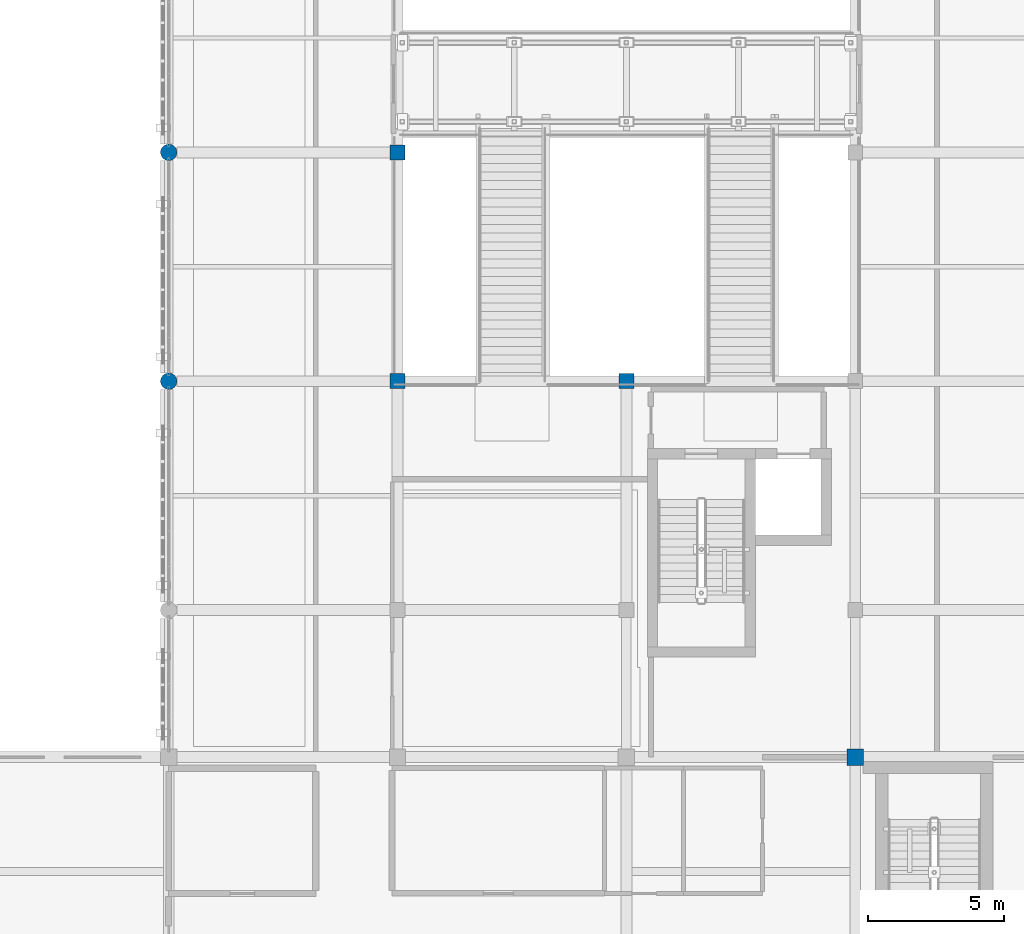
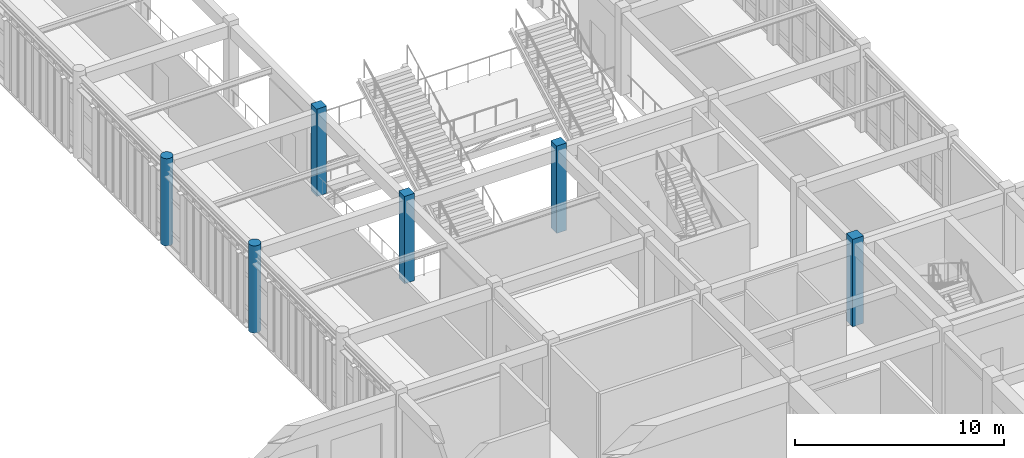
# One storey, part 6 of 93: 6 columns.
"""IFC4 building model written with IfcOpenShell, lengths in metres."""

import ifcopenshell
import ifcopenshell.guid

model = None  # the IFC model being written
_history = None  # IfcOwnerHistory: only IFC2X3 demands one
_inside = {}  # id of a spatial element -> (the spatial element, [elements in it])
_under = {}  # id of a project, library or spatial element -> (it, [spatial elements below it])
_declared = {}  # id of a project -> (the project, [libraries it declares])
_typed = {}  # id of a type object -> (the type object, [elements of that type])
_made_of = {}  # id of a material, layer set ... -> (it, [elements and type objects made of it])


def new_model(schema):
    """Start an empty IFC model of exactly this schema.

    Asked for "IFC4X3", IfcOpenShell would pick the latest addendum, in which some entities
    have other attributes; the version numbers below select the first issue.
    IFC2X3 requires an IfcOwnerHistory on every rooted entity: one is made here for all.
    """
    global model, _history
    if schema == "IFC4X3":
        model = ifcopenshell.file(schema_version=(4, 3, 0, 0))
    else:
        model = ifcopenshell.file(schema=schema)
    _inside.clear()
    _under.clear()
    _declared.clear()
    _typed.clear()
    _made_of.clear()
    _history = None
    if model.schema == "IFC2X3":
        org = make("IfcOrganization", Name="unknown")
        user = make(
            "IfcPersonAndOrganization",
            ThePerson=make("IfcPerson", FamilyName="unknown"),
            TheOrganization=org,
        )
        app = make(
            "IfcApplication",
            ApplicationDeveloper=org,
            Version="unknown",
            ApplicationFullName="unknown",
            ApplicationIdentifier="unknown",
        )
        _history = make(
            "IfcOwnerHistory",
            OwningUser=user,
            OwningApplication=app,
            ChangeAction="ADDED",
            CreationDate=0,
        )
    return model


def make(cls, **values):
    """One entity of the class cls with the attributes given. An attribute that is None is left unset."""
    return model.create_entity(
        cls, **{name: value for name, value in values.items() if value is not None}
    )


def rooted(cls, **values):
    """An entity with a GlobalId (a new one), such as an element, a storey or a relation."""
    return make(cls, GlobalId=ifcopenshell.guid.new(), OwnerHistory=_history, **values)


def si_unit(unit_type, name, prefix=None):
    """IfcSIUnit, for example si_unit("LENGTHUNIT", "METRE", prefix="MILLI")."""
    return make("IfcSIUnit", UnitType=unit_type, Prefix=prefix, Name=name)


def assignment(units):
    """IfcUnitAssignment: the units of a project."""
    return None if units is None else make("IfcUnitAssignment", Units=units)


def point(xyz):
    """IfcCartesianPoint."""
    return None if xyz is None else make("IfcCartesianPoint", Coordinates=xyz)


def direction(xyz):
    """IfcDirection."""
    return None if xyz is None else make("IfcDirection", DirectionRatios=xyz)


def frame(location, z_axis=None, x_axis=None):
    """IfcAxis2Placement3D, a coordinate frame: its origin and axes. An axis left out is left unset."""
    return make(
        "IfcAxis2Placement3D",
        Location=point(location),
        Axis=direction(z_axis),
        RefDirection=direction(x_axis),
    )


def frame_2d(location, x_axis=None):
    """IfcAxis2Placement2D, a coordinate frame in the plane: its origin and x axis."""
    return make(
        "IfcAxis2Placement2D", Location=point(location), RefDirection=direction(x_axis)
    )


def origin():
    """The frame at (0, 0, 0) with its axes left unset."""
    return frame((0.0, 0.0, 0.0))


def origin_2d():
    """The frame at (0, 0) in the plane with its x axis left unset."""
    return frame_2d((0.0, 0.0))


def place(relative_to, where):
    """IfcLocalPlacement: puts the frame where relative to a parent placement (None: the world)."""
    return make(
        "IfcLocalPlacement", PlacementRelTo=relative_to, RelativePlacement=where
    )


def context(
    kind, dimensions, precision=None, world=None, true_north=None, identifier=None
):
    """IfcGeometricRepresentationContext, for example the 3D "Model" context."""
    return make(
        "IfcGeometricRepresentationContext",
        ContextIdentifier=identifier,
        ContextType=kind,
        CoordinateSpaceDimension=dimensions,
        Precision=precision,
        WorldCoordinateSystem=world,
        TrueNorth=true_north,
    )


def subcontext(parent, identifier, kind, view, scale=None):
    """IfcGeometricRepresentationSubContext, for example "Body" below "Model"."""
    return make(
        "IfcGeometricRepresentationSubContext",
        ContextIdentifier=identifier,
        ContextType=kind,
        ParentContext=parent,
        TargetScale=scale,
        TargetView=view,
    )


def project(units=None, contexts=None):
    """IfcProject with its units and contexts."""
    return rooted(
        "IfcProject",
        Name="project",
        RepresentationContexts=contexts,
        UnitsInContext=assignment(units),
    )


def spatial(cls, under=None, at=None, **own):
    """A site, building, storey or space (cls), placed at a placement, below another one or the project."""
    s = rooted(cls, ObjectPlacement=at, **own)
    if under is not None:
        _under.setdefault(under.id(), (under, []))[1].append(s)
    return s


def profile(cls, at=None, kind="AREA", **sizes):
    """A parametric profile (cls). Its sizes go by their IFC names, for example OverallWidth=200.0."""
    return make(cls, ProfileType=kind, Position=at, **sizes)


def rectangle(**sizes):
    """IfcRectangleProfileDef."""
    return profile("IfcRectangleProfileDef", **sizes)


def circle(**sizes):
    """IfcCircleProfileDef."""
    return profile("IfcCircleProfileDef", **sizes)


def extrude(swept, where, along, depth):
    """IfcExtrudedAreaSolid: the profile swept, set in the frame where, extruded along a direction by depth."""
    return make(
        "IfcExtrudedAreaSolid",
        SweptArea=swept,
        Position=where,
        ExtrudedDirection=direction(along),
        Depth=depth,
    )


def shape(context_of_items, identifier, shape_type, items):
    """IfcShapeRepresentation: the items that make up one representation, for example the "Body"."""
    return make(
        "IfcShapeRepresentation",
        ContextOfItems=context_of_items,
        RepresentationIdentifier=identifier,
        RepresentationType=shape_type,
        Items=items,
    )


def material(Name=None, Category=None):
    """IfcMaterial."""
    return make("IfcMaterial", Name=Name, Category=Category)


def material_profile(
    of_material, cross_section, Name=None, Category=None, Priority=None
):
    """IfcMaterialProfile: a cross section and its material."""
    return make(
        "IfcMaterialProfile",
        Name=Name,
        Material=of_material,
        Profile=cross_section,
        Priority=Priority,
        Category=Category,
    )


def profile_set(profiles, Name=None, composite=None):
    """IfcMaterialProfileSet."""
    return make(
        "IfcMaterialProfileSet",
        Name=Name,
        MaterialProfiles=profiles,
        CompositeProfile=composite,
    )


def made_of(thing, what):
    """Note that an element or type object is made of a material, layer set ...; save() writes the relation."""
    if what is not None:
        _made_of.setdefault(what.id(), (what, []))[1].append(thing)
    return thing


def type_object(cls, material=None, **own):
    """A type object (cls), such as IfcWallType, which elements share."""
    return made_of(rooted(cls, **own), material)


def element(
    cls,
    number,
    at=None,
    inside=None,
    cuts=None,
    type_object=None,
    material=None,
    context=None,
    identifier="Body",
    shape_type=None,
    held_by="IfcProductDefinitionShape",
    body=None,
    shapes=None,
    **own,
):
    """One element of the class cls, such as IfcWall. Its Tag is "e" and its number.

    at: its placement. inside: the storey or other place that contains it. cuts: it is an
    opening in that element (IfcRelVoidsElement). A single representation is given by context,
    identifier, shape_type and body (its items); several are given by shapes. held_by: the class
    of the entity that holds the representations. save() writes the other relations.
    """
    e = rooted(cls, Tag="e%d" % number, ObjectPlacement=at, **own)
    if body is not None:
        shapes = [shape(context, identifier, shape_type, body)]
    if shapes is not None:
        e.Representation = make(held_by, Representations=shapes)
    if inside is not None:
        _inside.setdefault(inside.id(), (inside, []))[1].append(e)
    if cuts is not None:
        rooted(
            "IfcRelVoidsElement", RelatingBuildingElement=cuts, RelatedOpeningElement=e
        )
    if type_object is not None:
        _typed.setdefault(type_object.id(), (type_object, []))[1].append(e)
    return made_of(e, material)


def aggregate(whole, parts):
    """IfcRelAggregates: a whole, such as a stair, and the parts it consists of."""
    return rooted("IfcRelAggregates", RelatingObject=whole, RelatedObjects=parts)


def save(model, path):
    """Write the relations noted so far, then the file.

    IfcRelAggregates (storeys below a building ...), IfcRelContainedInSpatialStructure (elements
    in a storey), IfcRelDefinesByType, IfcRelAssociatesMaterial and IfcRelDeclares: one each for
    every whole, place, type object, material and project.
    """
    for whole, parts in _under.values():
        aggregate(whole, parts)
    for where, things in _inside.values():
        rooted(
            "IfcRelContainedInSpatialStructure",
            RelatedElements=things,
            RelatingStructure=where,
        )
    for kind, things in _typed.values():
        rooted("IfcRelDefinesByType", RelatedObjects=things, RelatingType=kind)
    for what, things in _made_of.values():
        rooted("IfcRelAssociatesMaterial", RelatedObjects=things, RelatingMaterial=what)
    for by, libraries in _declared.values():
        rooted("IfcRelDeclares", RelatingContext=by, RelatedDefinitions=libraries)
    model.write(path)


model = new_model("IFC4")

# Units and contexts
model_context = context("Model", 3, precision=1e-05, world=origin(), true_north=direction((0.0, 1.0)))
body_context = subcontext(model_context, "Body", "Model", "MODEL_VIEW")
ifc_project = project(units=[si_unit("LENGTHUNIT", "METRE"), si_unit("AREAUNIT", "SQUARE_METRE"), si_unit("VOLUMEUNIT", "CUBIC_METRE"), si_unit("PLANEANGLEUNIT", "RADIAN"), si_unit("MASSUNIT", "GRAM", prefix="KILO")], contexts=[model_context])

# Site, building, storey
site_placement = place(None, origin())
site = spatial("IfcSite", under=ifc_project, at=site_placement, CompositionType="ELEMENT")
building_placement = place(site_placement, origin())
building = spatial("IfcBuilding", under=site, at=building_placement, Name="Krzemoval Escarpment Law Courts", CompositionType="ELEMENT")
storey_placement = place(building_placement, frame((0.0, 0.0, 10.199951171875)))
storey = spatial("IfcBuildingStorey", under=building, at=storey_placement, Name="L02", CompositionType="ELEMENT", Elevation=10.199951171875)

# Columns
ifc_material_1 = material(Name="Concrete C40/50", Category="concrete")
ifc_material_profile_1 = material_profile(ifc_material_1, rectangle(XDim=0.550048828125, YDim=0.550048828125, at=origin_2d()), Name="RC 550x550")
ifc_profile_set_1 = profile_set([ifc_material_profile_1], Name="Concrete C40/50")
column_type_1 = type_object("IfcColumnType", Name="COL-RC-550", PredefinedType="COLUMN", material=ifc_profile_set_1)
for number, where, z_axis, x_axis, name in (
    (1, (16.800048828125, 49.199951171875, 0.0), (0.0, 0.0, 1.0), (1.0, 0.0, 0.0), "Column FC-L02-0832"),
    (2, (16.800048828125, 57.60009765625, 0.0), (0.0, 0.0, 1.0), (1.0, 0.0, 0.0), "Column FC-L02-0833"),
    (3, (25.199951171875, 49.199951171875, 0.0), (0.0, 0.0, 1.0), (1.0, 0.0, 0.0), "Column FC-L02-0847"),
):
    element("IfcColumn", number, at=place(storey_placement, frame(where, z_axis=z_axis, x_axis=x_axis)), inside=storey, type_object=column_type_1, Name=name, PredefinedType="COLUMN", context=body_context, shape_type="SweptSolid", body=[
        extrude(rectangle(XDim=0.550048828125, YDim=0.550048828125, at=origin_2d()), origin(), (0.0, 0.0, 1.0), 5.10009765625),
    ])
ifc_material_2 = material(Name="Concrete C40/50", Category="concrete")
ifc_material_profile_2 = material_profile(ifc_material_2, rectangle(XDim=0.60009765625, YDim=0.60009765625, at=origin_2d()), Name="RC 600x600")
ifc_profile_set_2 = profile_set([ifc_material_profile_2], Name="Concrete C40/50")
column_type_2 = type_object("IfcColumnType", Name="COL-RC-600", PredefinedType="COLUMN", material=ifc_profile_set_2)
column_placement = place(storey_placement, frame((33.60009765625, 35.39990234375, 0.0), z_axis=(0.0, 0.0, 1.0), x_axis=(1.0, 0.0, 0.0)))
element("IfcColumn", 4, at=column_placement, inside=storey, type_object=column_type_2, Name="Column FC-L02-0856", PredefinedType="COLUMN", context=body_context, shape_type="SweptSolid", body=[
    extrude(rectangle(XDim=0.60009765625, YDim=0.60009765625, at=origin_2d()), origin(), (0.0, 0.0, 1.0), 5.10009765625),
])
ifc_material_3 = material(Name="Concrete C40/50", Category="concrete")
ifc_material_profile_3 = material_profile(ifc_material_3, circle(Radius=0.300048828125, at=origin_2d()), Name="RC D600")
ifc_profile_set_3 = profile_set([ifc_material_profile_3], Name="Concrete C40/50")
column_type_3 = type_object("IfcColumnType", Name="COL-RCD-600", PredefinedType="COLUMN", material=ifc_profile_set_3)
for number, where, z_axis, x_axis, name in (
    (5, (8.39990234375, 49.199951171875, 0.0), (0.0, 0.0, 1.0), (1.0, 0.0, 0.0), "Column FC-L02-0819"),
    (6, (8.39990234375, 57.60009765625, 0.0), (0.0, 0.0, 1.0), (1.0, 0.0, 0.0), "Column FC-L02-0820"),
):
    element("IfcColumn", number, at=place(storey_placement, frame(where, z_axis=z_axis, x_axis=x_axis)), inside=storey, type_object=column_type_3, Name=name, PredefinedType="COLUMN", context=body_context, shape_type="SweptSolid", body=[
        extrude(circle(Radius=0.300048828125, at=origin_2d()), origin(), (0.0, 0.0, 1.0), 5.10009765625),
    ])

save(model, "model.ifc")
